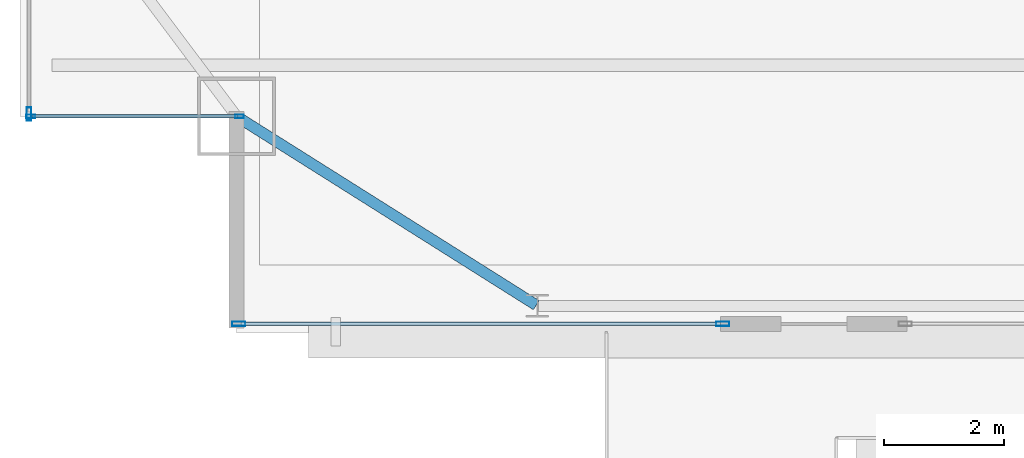
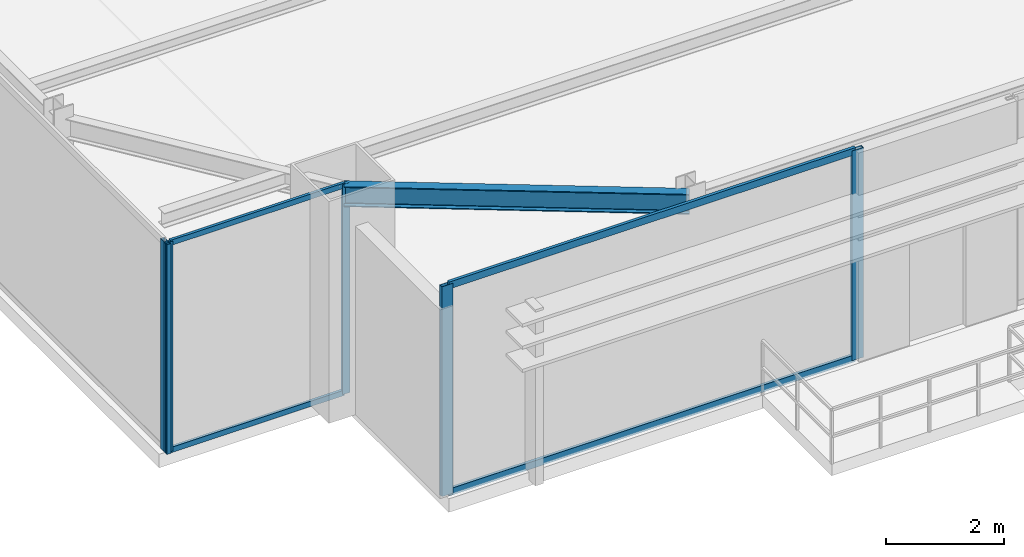
# One storey, part 4 of 25: 9 members, 1 beam, 3 elements without a shape of their own.
"""IFC4 building model written with IfcOpenShell, lengths in metres."""

from ifc_helpers import new_model, si_unit, direction, frame, origin, origin_2d, place, context, subcontext, project, spatial, hollow_rectangle, i_section, extrude, source, transform, mapped, material, layer, layer_set, material_profile, profile_set, type_object, type_shapes, element, aggregate, save


model = new_model("IFC4")

# Units and contexts
model_context = context("Model", 3, precision=1e-05, world=origin(), true_north=direction((0.0, 1.0)))
body_context = subcontext(model_context, "Body", "Model", "MODEL_VIEW")
ifc_project = project(units=[si_unit("LENGTHUNIT", "METRE"), si_unit("AREAUNIT", "SQUARE_METRE"), si_unit("VOLUMEUNIT", "CUBIC_METRE"), si_unit("PLANEANGLEUNIT", "RADIAN"), si_unit("MASSUNIT", "GRAM", prefix="KILO")], contexts=[model_context])

# Site, building, storey
site_placement = place(None, origin())
site = spatial("IfcSite", under=ifc_project, at=site_placement, CompositionType="ELEMENT")
building_placement = place(site_placement, origin())
building = spatial("IfcBuilding", under=site, at=building_placement, Name="Varnel Quay Broadcast Tower", CompositionType="ELEMENT")
storey_placement = place(building_placement, frame((0.0, 0.0, 191.39990234375)))
storey = spatial("IfcBuildingStorey", under=building, at=storey_placement, Name="L47", CompositionType="ELEMENT", Elevation=191.39990234375)

# Beam
ifc_material_1 = material(Name="Structural Steel CSA G40.21 350W", Category="steel")
ifc_material_profile_1 = material_profile(ifc_material_1, i_section(OverallWidth=0.180908203125, OverallDepth=0.4169921875, WebThickness=0.010986328125, FlangeThickness=0.018310546875, FilletRadius=0.011962890625, at=origin_2d()), Name="W410X85")
ifc_profile_set_1 = profile_set([ifc_material_profile_1], Name="Structural Steel CSA G40.21 350W")
beam_type = type_object("IfcBeamType", Name="Beam_W410X85", PredefinedType="SPANDREL", material=ifc_profile_set_1)
shared_shape_1 = source(origin(), body_context, "Body", "SweptSolid", [
    extrude(i_section(OverallWidth=0.180908203125, OverallDepth=0.4169921875, WebThickness=0.010986328125, FlangeThickness=0.018310546875, FilletRadius=0.011962890625, at=origin_2d()), origin(), (0.0, 0.0, 1.0), 5.869384765625),
])
type_shapes(beam_type, [shared_shape_1])
beam_placement = place(storey_placement, frame((10.616943359375, 10.789306640625, 4.1416015625), z_axis=(0.846088328928, -0.533042718412, 0.0), x_axis=(0.533042718412, 0.846088328928, 0.0)))
element("IfcBeam", 1, at=beam_placement, inside=storey, type_object=beam_type, Name="L47 South Spandrel MC-SW-TC-S1", PredefinedType="SPANDREL", context=body_context, shape_type="MappedRepresentation", body=[
    mapped(shared_shape_1, transform((0.0, 0.0, 0.0), x_axis=(1.0, 0.0, 0.0), y_axis=(0.0, 1.0, 0.0), z_axis=(0.0, 0.0, 1.0), scale=1.0)),
])

# Curtain wall, members
ifc_material_2 = material(Name="Anodised Bronze Aluminium 6063-T6", Category="aluminium")
ifc_layer_1 = layer(ifc_material_2, 0.18994140625, Name="Anodised Bronze Aluminium 6063-T6")
ifc_layer_set_1 = layer_set([ifc_layer_1], Name="Anodised Bronze Aluminium 6063-T6")
curtain_wall_type_1 = type_object("IfcCurtainWallType", Name="CW_NotchCorner", PredefinedType="NOTDEFINED", material=ifc_layer_set_1)
curtain_wall_1_placement = place(storey_placement, origin())
curtain_wall_1 = element("IfcCurtainWall", 2, at=curtain_wall_1_placement, inside=storey, type_object=curtain_wall_type_1, Name="L47 SW Notch Curtain Wall", PredefinedType="NOTDEFINED")
ifc_material_profile_2 = material_profile(ifc_material_2, hollow_rectangle(XDim=0.054931640625, YDim=0.110107421875, WallThickness=0.0029296875, at=origin_2d()), Name="ALU55X110X3")
ifc_profile_set_2 = profile_set([ifc_material_profile_2], Name="Anodised Bronze Aluminium 6063-T6")
member_type_1 = type_object("IfcMemberType", Name="Tran_CWS-04", PredefinedType="USERDEFINED", material=ifc_profile_set_2)
shared_shape_2 = source(origin(), body_context, "Body", "SweptSolid", [
    extrude(hollow_rectangle(XDim=0.054931640625, YDim=0.110107421875, WallThickness=0.0029296875, at=origin_2d()), origin(), (0.0, 0.0, 1.0), 3.41015625),
])
type_shapes(member_type_1, [shared_shape_2])
member_1_placement = place(storey_placement, frame((7.2099609375, 10.800048828125, 0.027587890625), z_axis=(1.0, 0.0, 0.0), x_axis=(0.0, 1.0, 0.0)))
member_1 = element("IfcMember", 3, at=member_1_placement, type_object=member_type_1, Name="CWS-04 transom 1.1", ObjectType="TRANSOM", PredefinedType="USERDEFINED", context=body_context, shape_type="MappedRepresentation", body=[
    mapped(shared_shape_2, transform((0.0, 0.0, 0.0), x_axis=(1.0, 0.0, 0.0), y_axis=(0.0, 1.0, 0.0), z_axis=(0.0, 0.0, 1.0), scale=1.0)),
])
member_2_placement = place(storey_placement, frame((7.2099609375, 10.800048828125, 4.322509765625), z_axis=(1.0, 0.0, 0.0), x_axis=(0.0, 1.0, 0.0)))
member_2 = element("IfcMember", 4, at=member_2_placement, type_object=member_type_1, Name="CWS-04 transom 1.2", ObjectType="TRANSOM", PredefinedType="USERDEFINED", context=body_context, shape_type="MappedRepresentation", body=[
    mapped(shared_shape_2, transform((0.0, 0.0, 0.0), x_axis=(1.0, 0.0, 0.0), y_axis=(0.0, 1.0, 0.0), z_axis=(0.0, 0.0, 1.0), scale=1.0)),
])

ifc_layer_2 = layer(ifc_material_2, 0.18994140625, Name="Anodised Bronze Aluminium 6063-T6")
ifc_layer_set_2 = layer_set([ifc_layer_2], Name="Anodised Bronze Aluminium 6063-T6")
curtain_wall_type_2 = type_object("IfcCurtainWallType", Name="CW_SkyObsHighVis", PredefinedType="NOTDEFINED", material=ifc_layer_set_2)
curtain_wall_2_placement = place(storey_placement, origin())
curtain_wall_2 = element("IfcCurtainWall", 5, at=curtain_wall_2_placement, inside=storey, type_object=curtain_wall_type_2, Name="L47 South Unitised Curtain Wall 1", PredefinedType="NOTDEFINED")
ifc_material_profile_3 = material_profile(ifc_material_2, hollow_rectangle(XDim=0.074951171875, YDim=0.219970703125, WallThickness=0.00390625, at=origin_2d()), Name="ALU75X220X4")
ifc_profile_set_3 = profile_set([ifc_material_profile_3], Name="Anodised Bronze Aluminium 6063-T6")
member_type_2 = type_object("IfcMemberType", Name="Mull_CWS-05", PredefinedType="MULLION", material=ifc_profile_set_3)
shared_shape_3 = source(origin(), body_context, "Body", "SweptSolid", [
    extrude(hollow_rectangle(XDim=0.074951171875, YDim=0.219970703125, WallThickness=0.00390625, at=origin_2d()), origin(), (0.0, 0.0, 1.0), 4.35009765625),
])
type_shapes(member_type_2, [shared_shape_3])
member_3_placement = place(storey_placement, frame((10.637451171875, 7.35009765625, 0.0), z_axis=(0.0, 0.0, 1.0), x_axis=(0.0, 1.0, 0.0)))
member_3 = element("IfcMember", 6, at=member_3_placement, type_object=member_type_2, Name="CWS-05 mullion 1", PredefinedType="MULLION", context=body_context, shape_type="MappedRepresentation", body=[
    mapped(shared_shape_3, transform((0.0, 0.0, 0.0), x_axis=(1.0, 0.0, 0.0), y_axis=(0.0, 1.0, 0.0), z_axis=(0.0, 0.0, 1.0), scale=1.0)),
])
member_4_placement = place(storey_placement, frame((18.6826171875, 7.35009765625, 0.0), z_axis=(0.0, 0.0, 1.0), x_axis=(0.0, 1.0, 0.0)))
member_4 = element("IfcMember", 7, at=member_4_placement, type_object=member_type_2, Name="CWS-05 mullion 2", PredefinedType="MULLION", context=body_context, shape_type="MappedRepresentation", body=[
    mapped(shared_shape_3, transform((0.0, 0.0, 0.0), x_axis=(1.0, 0.0, 0.0), y_axis=(0.0, 1.0, 0.0), z_axis=(0.0, 0.0, 1.0), scale=1.0)),
])

# Curtain wall, member
curtain_wall_3_placement = place(storey_placement, origin())
curtain_wall_3 = element("IfcCurtainWall", 8, at=curtain_wall_3_placement, inside=storey, type_object=curtain_wall_type_2, Name="L47 West Unitised Curtain Wall", PredefinedType="NOTDEFINED")
member_5_placement = place(storey_placement, frame((7.14990234375, 10.83740234375, 0.0), z_axis=(0.0, 0.0, 1.0), x_axis=(-1.0, 0.0, 0.0)))
member_5 = element("IfcMember", 9, at=member_5_placement, type_object=member_type_2, Name="CWS-05 mullion 1", PredefinedType="MULLION", context=body_context, shape_type="MappedRepresentation", body=[
    mapped(shared_shape_3, transform((0.0, 0.0, 0.0), x_axis=(1.0, 0.0, 0.0), y_axis=(0.0, 1.0, 0.0), z_axis=(0.0, 0.0, 1.0), scale=1.0)),
])
aggregate(curtain_wall_3, [member_5])

# Member
ifc_material_profile_4 = material_profile(ifc_material_2, hollow_rectangle(XDim=0.06005859375, YDim=0.14501953125, WallThickness=0.00341796875, at=origin_2d()), Name="ALU60X145X3.5")
ifc_profile_set_4 = profile_set([ifc_material_profile_4], Name="Anodised Bronze Aluminium 6063-T6")
member_type_3 = type_object("IfcMemberType", Name="Mull_CWS-04", PredefinedType="MULLION", material=ifc_profile_set_4)
shared_shape_4 = source(origin(), body_context, "Body", "SweptSolid", [
    extrude(hollow_rectangle(XDim=0.06005859375, YDim=0.14501953125, WallThickness=0.00341796875, at=origin_2d()), origin(), (0.0, 0.0, 1.0), 4.35009765625),
])
type_shapes(member_type_3, [shared_shape_4])
member_6_placement = place(storey_placement, frame((7.179931640625, 10.800048828125, 0.0), z_axis=(0.0, 0.0, 1.0), x_axis=(0.0, 1.0, 0.0)))
member_6 = element("IfcMember", 10, at=member_6_placement, type_object=member_type_3, Name="CWS-04 mullion 1", PredefinedType="MULLION", context=body_context, shape_type="MappedRepresentation", body=[
    mapped(shared_shape_4, transform((0.0, 0.0, 0.0), x_axis=(1.0, 0.0, 0.0), y_axis=(0.0, 1.0, 0.0), z_axis=(0.0, 0.0, 1.0), scale=1.0)),
])

member_7_placement = place(storey_placement, frame((10.64990234375, 10.800048828125, 0.0), z_axis=(0.0, 0.0, 1.0), x_axis=(0.0, 1.0, 0.0)))
member_7 = element("IfcMember", 11, at=member_7_placement, type_object=member_type_3, Name="CWS-04 mullion 2", PredefinedType="MULLION", context=body_context, shape_type="MappedRepresentation", body=[
    mapped(shared_shape_4, transform((0.0, 0.0, 0.0), x_axis=(1.0, 0.0, 0.0), y_axis=(0.0, 1.0, 0.0), z_axis=(0.0, 0.0, 1.0), scale=1.0)),
])

aggregate(curtain_wall_1, [member_6, member_7, member_1, member_2])

ifc_material_profile_5 = material_profile(ifc_material_2, hollow_rectangle(XDim=0.06005859375, YDim=0.14501953125, WallThickness=0.00341796875, at=origin_2d()), Name="ALU60X145X3.5")
ifc_profile_set_5 = profile_set([ifc_material_profile_5], Name="Anodised Bronze Aluminium 6063-T6")
member_type_4 = type_object("IfcMemberType", Name="Tran_CWS-05", PredefinedType="USERDEFINED", material=ifc_profile_set_5)
shared_shape_5 = source(origin(), body_context, "Body", "SweptSolid", [
    extrude(hollow_rectangle(XDim=0.06005859375, YDim=0.14501953125, WallThickness=0.00341796875, at=origin_2d()), origin(), (0.0, 0.0, 1.0), 7.969970703125),
])
type_shapes(member_type_4, [shared_shape_5])
member_8_placement = place(storey_placement, frame((10.675048828125, 7.35009765625, 0.030029296875), z_axis=(1.0, 0.0, 0.0), x_axis=(0.0, 1.0, 0.0)))
member_8 = element("IfcMember", 12, at=member_8_placement, type_object=member_type_4, Name="CWS-05 transom 1.1", ObjectType="TRANSOM", PredefinedType="USERDEFINED", context=body_context, shape_type="MappedRepresentation", body=[
    mapped(shared_shape_5, transform((0.0, 0.0, 0.0), x_axis=(1.0, 0.0, 0.0), y_axis=(0.0, 1.0, 0.0), z_axis=(0.0, 0.0, 1.0), scale=1.0)),
])

member_9_placement = place(storey_placement, frame((10.675048828125, 7.35009765625, 4.320068359375), z_axis=(1.0, 0.0, 0.0), x_axis=(0.0, 1.0, 0.0)))
member_9 = element("IfcMember", 13, at=member_9_placement, type_object=member_type_4, Name="CWS-05 transom 1.2", ObjectType="TRANSOM", PredefinedType="USERDEFINED", context=body_context, shape_type="MappedRepresentation", body=[
    mapped(shared_shape_5, transform((0.0, 0.0, 0.0), x_axis=(1.0, 0.0, 0.0), y_axis=(0.0, 1.0, 0.0), z_axis=(0.0, 0.0, 1.0), scale=1.0)),
])

aggregate(curtain_wall_2, [member_3, member_4, member_8, member_9])

save(model, "model.ifc")
